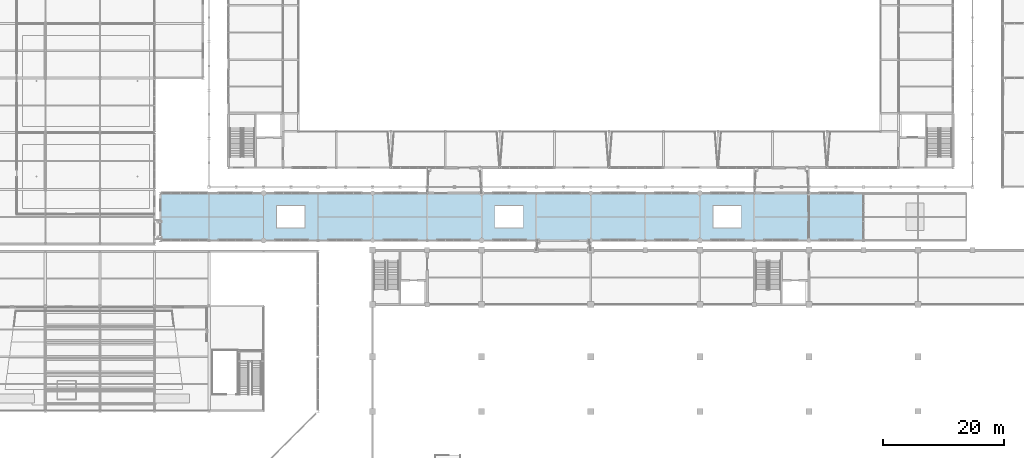
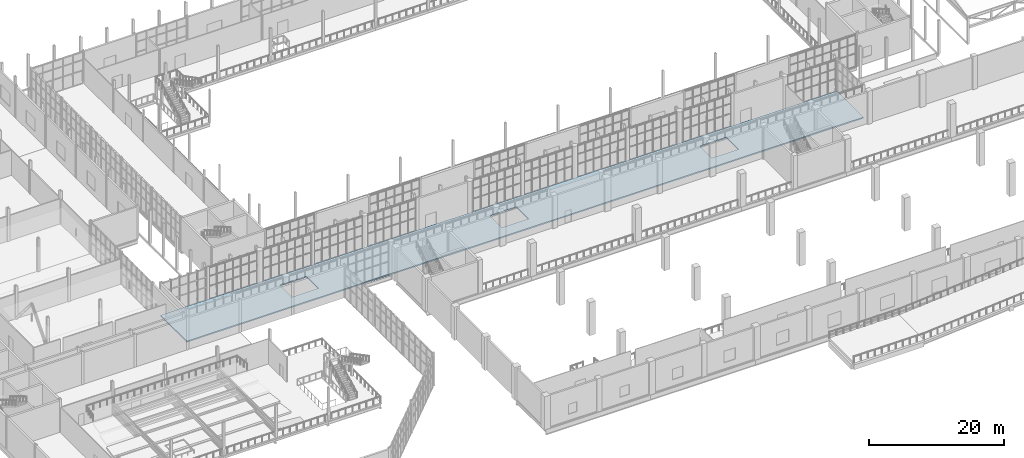
# One storey, part 99 of 159: 1 slab.
"""IFC4 building model written with IfcOpenShell, lengths in metres."""

from ifc_helpers import new_model, si_unit, direction, frame, origin, place, context, subcontext, project, spatial, polyline, outline, extrude, material, layer, layer_set, type_object, element, save


model = new_model("IFC4")

# Units and contexts
model_context = context("Model", 3, precision=1e-05, world=origin(), true_north=direction((0.0, 1.0)))
body_context = subcontext(model_context, "Body", "Model", "MODEL_VIEW")
ifc_project = project(units=[si_unit("LENGTHUNIT", "METRE"), si_unit("AREAUNIT", "SQUARE_METRE"), si_unit("VOLUMEUNIT", "CUBIC_METRE"), si_unit("PLANEANGLEUNIT", "RADIAN"), si_unit("MASSUNIT", "GRAM", prefix="KILO")], contexts=[model_context])

# Site, building, storey
site_placement = place(None, origin())
site = spatial("IfcSite", under=ifc_project, at=site_placement, CompositionType="ELEMENT")
building_placement = place(site_placement, origin())
building = spatial("IfcBuilding", under=site, at=building_placement, Name="Cazmaro Siding Exhibition Halls", CompositionType="ELEMENT")
storey_placement = place(building_placement, frame((0.0, 0.0, 6.0)))
storey = spatial("IfcBuildingStorey", under=building, at=storey_placement, Name="L01", CompositionType="ELEMENT", Elevation=6.0)

# Slab
ifc_material = material(Name="Concrete f'c 35 MPa", Category="concrete")
ifc_layer = layer(ifc_material, 0.219970703125)
ifc_layer_set = layer_set([ifc_layer], Name="Concrete f'c 35 MPa")
slab_type = type_object("IfcSlabType", Name="FS-01", PredefinedType="FLOOR", material=ifc_layer_set)
slab_placement = place(storey_placement, frame((0.0, 0.0, -0.219970703125)))
element("IfcSlab", 1, at=slab_placement, inside=storey, type_object=slab_type, Name="Upper Concourse Promenade L01 FS-01 SLB-0018", PredefinedType="FLOOR", context=body_context, shape_type="SweptSolid", body=[
    extrude(outline(polyline([(37.0, 55.199951171875), (153.0, 55.199951171875), (153.0, 63.0), (37.0, 63.0), (37.0, 55.199951171875)]), holes=[polyline([(56.199951171875, 57.300048828125), (60.800048828125, 57.300048828125), (60.800048828125, 60.89990234375), (56.199951171875, 60.89990234375), (56.199951171875, 57.300048828125)]), polyline([(92.199951171875, 57.300048828125), (96.800048828125, 57.300048828125), (96.800048828125, 60.89990234375), (92.199951171875, 60.89990234375), (92.199951171875, 57.300048828125)]), polyline([(128.199951171875, 57.300048828125), (132.800048828125, 57.300048828125), (132.800048828125, 60.89990234375), (128.199951171875, 60.89990234375), (128.199951171875, 57.300048828125)])]), origin(), (0.0, 0.0, 1.0), 0.219970703125),
])

save(model, "model.ifc")
